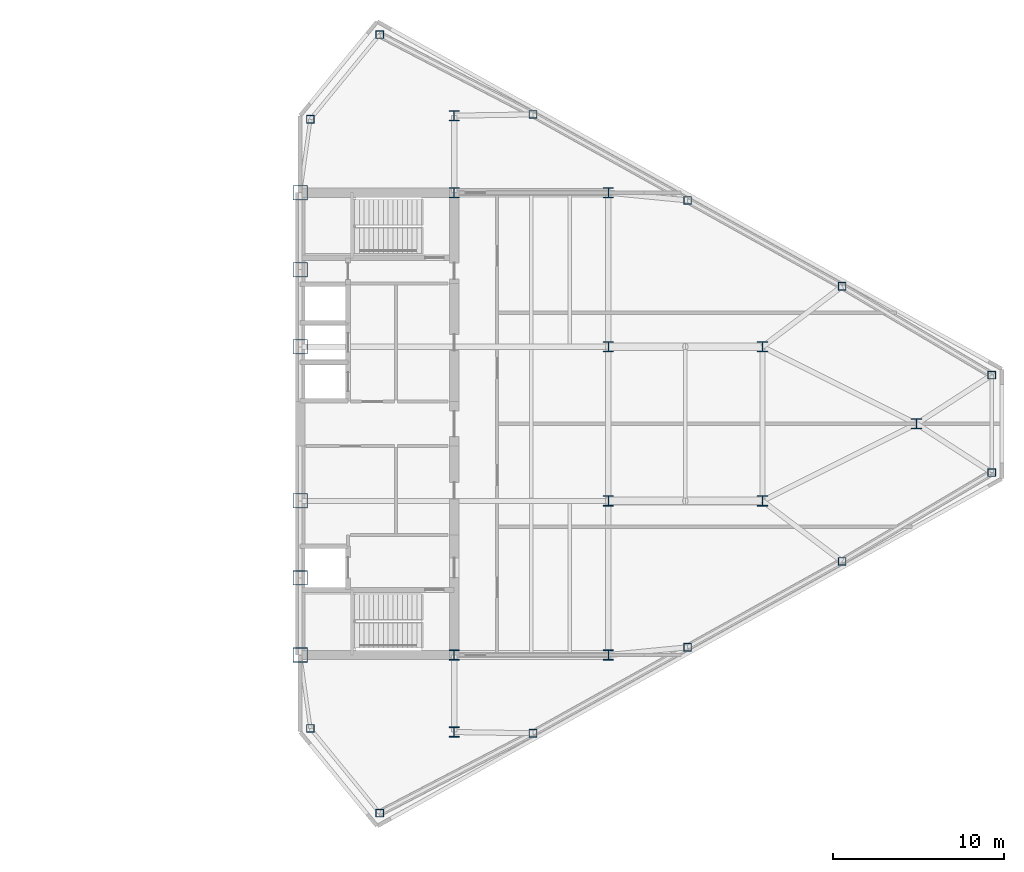
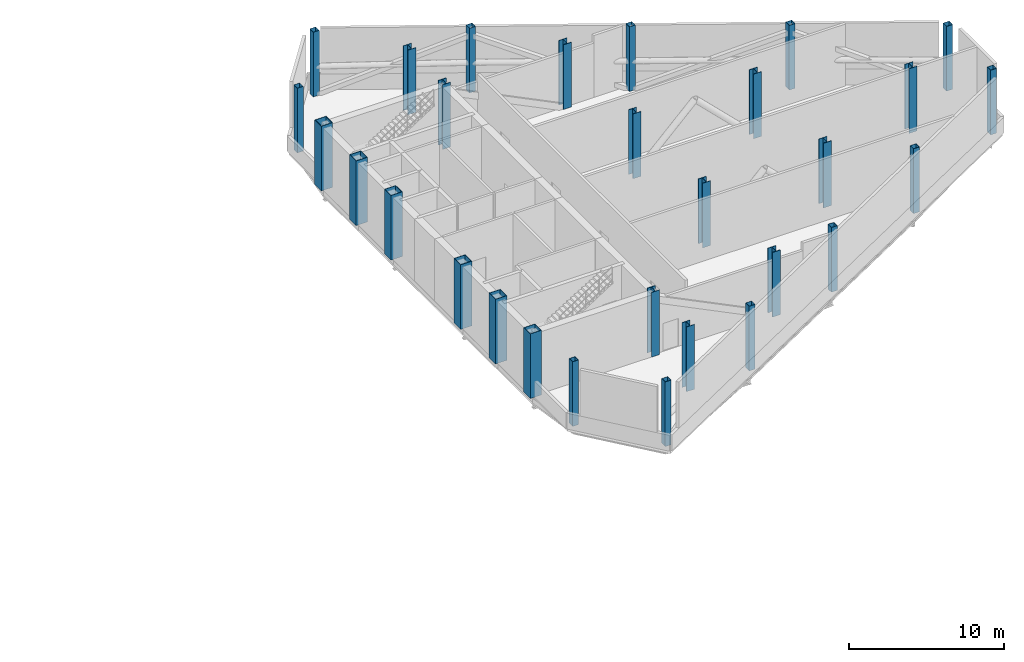
# One storey, part 2 of 11: 29 columns.
"""IFC4 building model written with IfcOpenShell, lengths in metres."""

from ifc_helpers import new_model, si_unit, direction, frame, origin, origin_2d, place, context, subcontext, project, spatial, hollow_rectangle, i_section, extrude, source, transform, mapped, material, material_profile, profile_set, type_object, type_shapes, element, save


model = new_model("IFC4")

# Units and contexts
model_context = context("Model", 3, precision=1e-05, world=origin(), true_north=direction((0.0, 1.0)))
body_context = subcontext(model_context, "Body", "Model", "MODEL_VIEW")
ifc_project = project(units=[si_unit("LENGTHUNIT", "METRE"), si_unit("AREAUNIT", "SQUARE_METRE"), si_unit("VOLUMEUNIT", "CUBIC_METRE"), si_unit("PLANEANGLEUNIT", "RADIAN"), si_unit("MASSUNIT", "GRAM", prefix="KILO")], contexts=[model_context])

# Site, building, storey
site_placement = place(None, origin())
site = spatial("IfcSite", under=ifc_project, at=site_placement, CompositionType="ELEMENT")
building_placement = place(site_placement, origin())
building = spatial("IfcBuilding", under=site, at=building_placement, Name="Seokmaru Belvedere", CompositionType="ELEMENT")
storey_placement = place(building_placement, frame((0.0, 0.0, 162.0)))
storey = spatial("IfcBuildingStorey", under=building, at=storey_placement, Name="L43", CompositionType="ELEMENT", Elevation=162.0)

# Columns
ifc_material_1 = material(Name="Steel HSA650 (650 MPa)", Category="steel")
ifc_material_profile_1 = material_profile(ifc_material_1, hollow_rectangle(XDim=0.85009765625, YDim=0.85009765625, WallThickness=0.035888671875, at=origin_2d()), Name="BOX-850x850x36")
ifc_profile_set_1 = profile_set([ifc_material_profile_1], Name="Steel HSA650 (650 MPa)")
column_type_1 = type_object("IfcColumnType", Name="Portal Spine Column BOX-850", PredefinedType="COLUMN", material=ifc_profile_set_1)
shared_shape_1 = source(origin(), body_context, "Body", "SweptSolid", [
    extrude(hollow_rectangle(XDim=0.85009765625, YDim=0.85009765625, WallThickness=0.035888671875, at=origin_2d()), origin(), (0.0, 0.0, 1.0), 5.10009765625),
])
type_shapes(column_type_1, [shared_shape_1])
for number, where, z_axis, x_axis, name in (
    (1, (27.5, -13.5, 0.0), (0.0, 0.0, 1.0), (1.0, 0.0, 0.0), "L43 Column ES1"),
    (2, (27.5, -9.0, 0.0), (0.0, 0.0, 1.0), (1.0, 0.0, 0.0), "L43 Column ES2"),
    (3, (27.5, -4.5, 0.0), (0.0, 0.0, 1.0), (1.0, 0.0, 0.0), "L43 Column ES3"),
    (4, (27.5, 4.5, 0.0), (0.0, 0.0, 1.0), (1.0, 0.0, 0.0), "L43 Column ES4"),
    (5, (27.5, 9.0, 0.0), (0.0, 0.0, 1.0), (1.0, 0.0, 0.0), "L43 Column ES5"),
    (6, (27.5, 13.5, 0.0), (0.0, 0.0, 1.0), (1.0, 0.0, 0.0), "L43 Column ES6"),
):
    element("IfcColumn", number, at=place(storey_placement, frame(where, z_axis=z_axis, x_axis=x_axis)), inside=storey, type_object=column_type_1, Name=name, PredefinedType="COLUMN", context=body_context, shape_type="MappedRepresentation", body=[
        mapped(shared_shape_1, transform((0.0, 0.0, 0.0), scale=1.0)),
    ])
ifc_material_2 = material(Name="Steel SM355 (355 MPa)", Category="steel")
ifc_material_profile_2 = material_profile(ifc_material_2, i_section(OverallWidth=0.60009765625, OverallDepth=0.60009765625, WebThickness=0.02490234375, FlangeThickness=0.0400390625, at=origin_2d()), Name="H-600x600x25x40")
ifc_profile_set_2 = profile_set([ifc_material_profile_2], Name="Steel SM355 (355 MPa)")
column_type_2 = type_object("IfcColumnType", Name="Upper-Mid Interior Column H-600", PredefinedType="COLUMN", material=ifc_profile_set_2)
shared_shape_2 = source(origin(), body_context, "Body", "SweptSolid", [
    extrude(i_section(OverallWidth=0.60009765625, OverallDepth=0.60009765625, WebThickness=0.02490234375, FlangeThickness=0.0400390625, at=origin_2d()), origin(), (0.0, 0.0, 1.0), 5.10009765625),
])
type_shapes(column_type_2, [shared_shape_2])
for number, where, z_axis, x_axis, name in (
    (7, (36.5, -18.0, 0.0), (0.0, 0.0, 1.0), (1.0, 0.0, 0.0), "L43 Column EC1"),
    (8, (36.5, -13.5, 0.0), (0.0, 0.0, 1.0), (1.0, 0.0, 0.0), "L43 Column EC2"),
    (9, (36.5, 13.5, 0.0), (0.0, 0.0, 1.0), (1.0, 0.0, 0.0), "L43 Column EC3"),
    (10, (36.5, 18.0, 0.0), (0.0, 0.0, 1.0), (1.0, 0.0, 0.0), "L43 Column EC4"),
    (11, (45.5, -13.5, 0.0), (0.0, 0.0, 1.0), (1.0, 0.0, 0.0), "L43 Column EG5_1"),
    (12, (45.5, -4.5, 0.0), (0.0, 0.0, 1.0), (1.0, 0.0, 0.0), "L43 Column EG5_2"),
    (13, (45.5, 4.5, 0.0), (0.0, 0.0, 1.0), (1.0, 0.0, 0.0), "L43 Column EG5_3"),
    (14, (45.5, 13.5, 0.0), (0.0, 0.0, 1.0), (1.0, 0.0, 0.0), "L43 Column EG5_4"),
    (15, (54.5, -4.5, 0.0), (0.0, 0.0, 1.0), (1.0, 0.0, 0.0), "L43 Column EG4P_1"),
    (16, (54.5, 4.5, 0.0), (0.0, 0.0, 1.0), (1.0, 0.0, 0.0), "L43 Column EG4P_2"),
    (17, (63.5, 0.0, 0.0), (0.0, 0.0, 1.0), (1.0, 0.0, 0.0), "L43 Column EG3P_1"),
):
    element("IfcColumn", number, at=place(storey_placement, frame(where, z_axis=z_axis, x_axis=x_axis)), inside=storey, type_object=column_type_2, Name=name, PredefinedType="COLUMN", context=body_context, shape_type="MappedRepresentation", body=[
        mapped(shared_shape_2, transform((0.0, 0.0, 0.0), scale=1.0)),
    ])
ifc_material_profile_3 = material_profile(ifc_material_2, hollow_rectangle(XDim=0.449951171875, YDim=0.449951171875, WallThickness=0.01806640625, at=origin_2d()), Name="HSS-450x450x18")
ifc_profile_set_3 = profile_set([ifc_material_profile_3], Name="Steel SM355 (355 MPa)")
column_type_3 = type_object("IfcColumnType", Name="Perimeter Facet Column HSS-450", PredefinedType="COLUMN", material=ifc_profile_set_3)
shared_shape_3 = source(origin(), body_context, "Body", "SweptSolid", [
    extrude(hollow_rectangle(XDim=0.449951171875, YDim=0.449951171875, WallThickness=0.01806640625, at=origin_2d()), origin(), (0.0, 0.0, 1.0), 5.10009765625),
])
type_shapes(column_type_3, [shared_shape_3])
for number, where, z_axis, x_axis, name in (
    (18, (32.146728515625, -22.731689453125, 0.0), (0.0, 0.0, 1.0), (1.0, 0.0, 0.0), "L43 Column EF1"),
    (19, (67.89990234375, -2.84716796875, 0.0), (0.0, 0.0, 1.0), (1.0, 0.0, 0.0), "L43 Column EF2"),
    (20, (67.89990234375, 2.84716796875, 0.0), (0.0, 0.0, 1.0), (1.0, 0.0, 0.0), "L43 Column EF3"),
    (21, (32.146728515625, 22.731689453125, 0.0), (0.0, 0.0, 1.0), (1.0, 0.0, 0.0), "L43 Column EF4"),
    (22, (28.10009765625, 17.785888671875, 0.0), (0.0, 0.0, 1.0), (1.0, 0.0, 0.0), "L43 Column EF5"),
    (23, (28.10009765625, -17.785888671875, 0.0), (0.0, 0.0, 1.0), (1.0, 0.0, 0.0), "L43 Column EF6"),
    (24, (41.103759765625, -18.07080078125, 0.0), (0.0, 0.0, 1.0), (1.0, 0.0, 0.0), "L43 Column EFLK_S1"),
    (25, (50.129150390625, -13.051025390625, 0.0), (0.0, 0.0, 1.0), (1.0, 0.0, 0.0), "L43 Column EFLK_S2"),
    (26, (59.154541015625, -8.031494140625, 0.0), (0.0, 0.0, 1.0), (1.0, 0.0, 0.0), "L43 Column EFLK_S3"),
    (27, (41.103759765625, 18.07080078125, 0.0), (0.0, 0.0, 1.0), (1.0, 0.0, 0.0), "L43 Column EFLK_N1"),
    (28, (50.129150390625, 13.051025390625, 0.0), (0.0, 0.0, 1.0), (1.0, 0.0, 0.0), "L43 Column EFLK_N2"),
    (29, (59.154541015625, 8.031494140625, 0.0), (0.0, 0.0, 1.0), (1.0, 0.0, 0.0), "L43 Column EFLK_N3"),
):
    element("IfcColumn", number, at=place(storey_placement, frame(where, z_axis=z_axis, x_axis=x_axis)), inside=storey, type_object=column_type_3, Name=name, PredefinedType="COLUMN", context=body_context, shape_type="MappedRepresentation", body=[
        mapped(shared_shape_3, transform((0.0, 0.0, 0.0), scale=1.0)),
    ])

save(model, "model.ifc")
